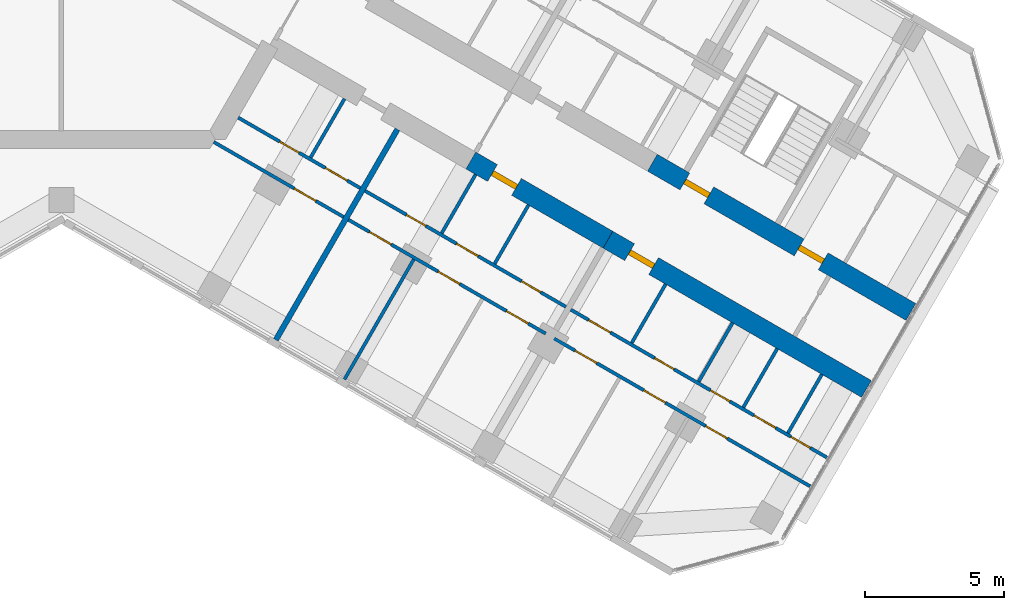
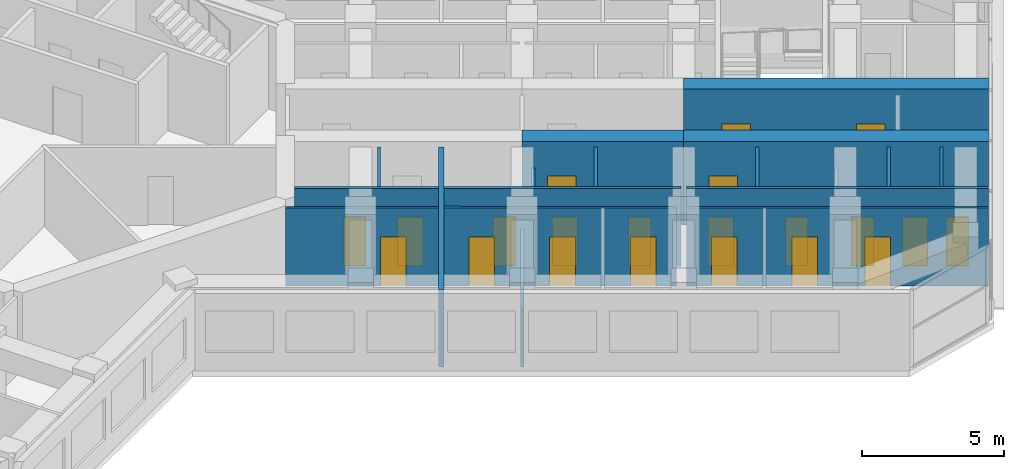
# One storey, part 11 of 16: 21 doors, 18 walls, 21 openings.
"""IFC4 building model written with IfcOpenShell, lengths in metres."""

from ifc_helpers import new_model, si_unit, direction, frame, frame_2d, origin, place, context, subcontext, project, spatial, rectangle, extrude, material, layer, layer_set, type_object, element, fill, save


model = new_model("IFC4")

# Units and contexts
model_context = context("Model", 3, precision=1e-05, world=origin(), true_north=direction((0.0, 1.0)))
body_context = subcontext(model_context, "Body", "Model", "MODEL_VIEW")
ifc_project = project(units=[si_unit("LENGTHUNIT", "METRE"), si_unit("AREAUNIT", "SQUARE_METRE"), si_unit("VOLUMEUNIT", "CUBIC_METRE"), si_unit("PLANEANGLEUNIT", "RADIAN"), si_unit("MASSUNIT", "GRAM", prefix="KILO")], contexts=[model_context])

# Site, building, storey
site_placement = place(None, origin())
site = spatial("IfcSite", under=ifc_project, at=site_placement, CompositionType="ELEMENT")
building_placement = place(site_placement, origin())
building = spatial("IfcBuilding", under=site, at=building_placement, Name="Kosmar Iwan School Tower", CompositionType="ELEMENT")
storey_placement = place(building_placement, frame((0.0, 0.0, 215.39990234375)))
storey = spatial("IfcBuildingStorey", under=building, at=storey_placement, Name="L54", CompositionType="ELEMENT", Elevation=215.39990234375)

# Wall, openings, doors
ifc_material_1 = material(Name="Concrete C50/60", Category="concrete")
ifc_layer_1 = layer(ifc_material_1, 0.699951171875)
ifc_layer_set_1 = layer_set([ifc_layer_1], Name="Corridor buttress wall 700")
wall_type_1 = type_object("IfcWallType", Name="Corridor buttress wall 700", PredefinedType="SHEAR", material=ifc_layer_set_1)
wall_1_placement = place(storey_placement, frame((21.281494140625, -10.439453125, 0.0), z_axis=(0.0, 0.0, 1.0), x_axis=(0.866032345022, -0.499987977232, 0.0)))
wall_1 = element("IfcWall", 1, at=wall_1_placement, inside=storey, type_object=wall_type_1, Name="Corridor wall CL bay 3", PredefinedType="SHEAR", context=body_context, shape_type="SweptSolid", body=[
    extrude(rectangle(XDim=10.744873046875, YDim=0.699951171875, at=frame_2d((5.37255859375, 0.0))), origin(), (0.0, 0.0, 1.0), 3.60009765625),
])
opening_1_placement = place(wall_1_placement, frame((6.10009765625, 0.0, 0.0)))
opening_1 = element("IfcOpeningElement", 2, at=opening_1_placement, cuts=wall_1, Name="Opening D1", PredefinedType="OPENING", context=body_context, shape_type="SweptSolid", body=[
    extrude(rectangle(XDim=1.0, YDim=2.10009765625, at=frame_2d((0.5, 1.050048828125))), frame((0.0, 0.362060546875, 0.0), z_axis=(0.0, -1.0, 0.0), x_axis=(1.0, 0.0, 0.0)), (0.0, 0.0, 1.0), 0.723876953125),
])
opening_2_placement = place(wall_1_placement, frame((1.35009765625, 0.0, 0.0)))
opening_2 = element("IfcOpeningElement", 3, at=opening_2_placement, cuts=wall_1, Name="Opening D6", PredefinedType="OPENING", context=body_context, shape_type="SweptSolid", body=[
    extrude(rectangle(XDim=1.0, YDim=2.10009765625, at=frame_2d((0.5, 1.050048828125))), frame((0.0, 0.362060546875, 0.0), z_axis=(0.0, -1.0, 0.0), x_axis=(1.0, 0.0, 0.0)), (0.0, 0.0, 1.0), 0.723876953125),
])
ifc_material_2 = material(Name="Timber fire door in steel frame", Category="steel")
door_type_1 = type_object("IfcDoorType", Name="Flat entrance door 1000x2100", OperationType="SINGLE_SWING_LEFT", PredefinedType="DOOR", material=ifc_material_2)
door_1_placement = place(opening_1_placement, origin())
door_1 = element("IfcDoor", 4, at=door_1_placement, inside=storey, type_object=door_type_1, Name="Flat L54-CL3 entrance door", OperationType="SINGLE_SWING_RIGHT", OverallHeight=2.10009765625, OverallWidth=1.0, PredefinedType="DOOR", context=body_context, shape_type="SweptSolid", body=[
    extrude(rectangle(XDim=1.0, YDim=2.10009765625, at=frame_2d((0.5, 1.050048828125))), frame((0.0, 0.10009765625, 0.0), z_axis=(0.0, -1.0, 0.0), x_axis=(1.0, 0.0, 0.0)), (0.0, 0.0, 1.0), 0.199951171875),
])
fill(opening_1, door_1)
ifc_material_3 = material(Name="Steel fire door", Category="steel")
door_type_2 = type_object("IfcDoorType", Name="Stair door 1000x2100", OperationType="SINGLE_SWING_LEFT", PredefinedType="DOOR", material=ifc_material_3)
door_2_placement = place(opening_2_placement, origin())
door_2 = element("IfcDoor", 5, at=door_2_placement, inside=storey, type_object=door_type_2, Name="Stair WS3 door L54", OperationType="SINGLE_SWING_LEFT", OverallHeight=2.10009765625, OverallWidth=1.0, PredefinedType="DOOR", context=body_context, shape_type="SweptSolid", body=[
    extrude(rectangle(XDim=1.0, YDim=2.10009765625, at=frame_2d((0.5, 1.050048828125))), frame((0.0, 0.10009765625, 0.0), z_axis=(0.0, -1.0, 0.0), x_axis=(1.0, 0.0, 0.0)), (0.0, 0.0, 1.0), 0.199951171875),
])
fill(opening_2, door_2)

# Wall, opening, door
wall_2_placement = place(storey_placement, frame((14.7451171875, -10.360595703125, 0.0), z_axis=(0.0, 0.0, 1.0), x_axis=(0.866015111908, -0.50001782563, 0.0)))
wall_2 = element("IfcWall", 6, at=wall_2_placement, inside=storey, type_object=wall_type_1, Name="Corridor wall CR bay 2", PredefinedType="SHEAR", context=body_context, shape_type="SweptSolid", body=[
    extrude(rectangle(XDim=5.699951171875, YDim=0.699951171875, at=frame_2d((2.85009765625, 0.0))), origin(), (0.0, 0.0, 1.0), 3.60009765625),
])
opening_3_placement = place(wall_2_placement, frame((0.89990234375, 0.0, 0.0)))
opening_3 = element("IfcOpeningElement", 7, at=opening_3_placement, cuts=wall_2, Name="Opening D1", PredefinedType="OPENING", context=body_context, shape_type="SweptSolid", body=[
    extrude(rectangle(XDim=1.0, YDim=2.10009765625, at=frame_2d((0.5, 1.050048828125))), frame((0.0, 0.362060546875, 0.0), z_axis=(0.0, -1.0, 0.0), x_axis=(1.0, 0.0, 0.0)), (0.0, 0.0, 1.0), 0.723876953125),
])
door_3_placement = place(opening_3_placement, origin())
door_3 = element("IfcDoor", 8, at=door_3_placement, inside=storey, type_object=door_type_1, Name="Flat L54-CR2 entrance door", OperationType="SINGLE_SWING_LEFT", OverallHeight=2.10009765625, OverallWidth=1.0, PredefinedType="DOOR", context=body_context, shape_type="SweptSolid", body=[
    extrude(rectangle(XDim=1.0, YDim=2.10009765625, at=frame_2d((0.5, 1.050048828125))), frame((0.0, 0.10009765625, 0.0), z_axis=(0.0, -1.0, 0.0), x_axis=(1.0, 0.0, 0.0)), (0.0, 0.0, 1.0), 0.199951171875),
])
fill(opening_3, door_3)

wall_3_placement = place(storey_placement, frame((19.681396484375, -13.210693359375, 0.0), z_axis=(0.0, 0.0, 1.0), x_axis=(0.866028186671, -0.499995179869, 0.0)))
wall_3 = element("IfcWall", 9, at=wall_3_placement, inside=storey, type_object=wall_type_1, Name="Corridor wall CR bay 3", PredefinedType="SHEAR", context=body_context, shape_type="SweptSolid", body=[
    extrude(rectangle(XDim=10.7451171875, YDim=0.699951171875, at=frame_2d((5.37255859375, 0.0))), origin(), (0.0, 0.0, 1.0), 3.60009765625),
])
opening_4_placement = place(wall_3_placement, frame((0.89990234375, 0.0, 0.0)))
opening_4 = element("IfcOpeningElement", 10, at=opening_4_placement, cuts=wall_3, Name="Opening D1", PredefinedType="OPENING", context=body_context, shape_type="SweptSolid", body=[
    extrude(rectangle(XDim=1.0, YDim=2.10009765625, at=frame_2d((0.5, 1.050048828125))), frame((0.0, 0.362060546875, 0.0), z_axis=(0.0, -1.0, 0.0), x_axis=(1.0, 0.0, 0.0)), (0.0, 0.0, 1.0), 0.723876953125),
])
door_4_placement = place(opening_4_placement, origin())
door_4 = element("IfcDoor", 11, at=door_4_placement, inside=storey, type_object=door_type_1, Name="Flat L54-CR3 entrance door", OperationType="SINGLE_SWING_LEFT", OverallHeight=2.10009765625, OverallWidth=1.0, PredefinedType="DOOR", context=body_context, shape_type="SweptSolid", body=[
    extrude(rectangle(XDim=1.0, YDim=2.10009765625, at=frame_2d((0.5, 1.050048828125))), frame((0.0, 0.10009765625, 0.0), z_axis=(0.0, -1.0, 0.0), x_axis=(1.0, 0.0, 0.0)), (0.0, 0.0, 1.0), 0.199951171875),
])
fill(opening_4, door_4)

# Wall, openings, doors
ifc_material_4 = material(Name="Gypsum board on steel studs", Category="steel")
ifc_layer_2 = layer(ifc_material_4, 0.1201171875)
ifc_layer_set_2 = layer_set([ifc_layer_2], Name="Dwelling partition 120")
wall_type_2 = type_object("IfcWallType", Name="Dwelling partition 120", PredefinedType="PARTITIONING", material=ifc_layer_set_2)
wall_4_placement = place(storey_placement, frame((6.370361328125, -8.81640625, 0.0), z_axis=(0.0, 0.0, 1.0), x_axis=(0.866034976542, -0.499983419131, 0.0)))
wall_4 = element("IfcWall", 12, at=wall_4_placement, inside=storey, type_object=wall_type_2, Name="Partition L54-CR1-W1", PredefinedType="PARTITIONING", context=body_context, shape_type="SweptSolid", body=[
    extrude(rectangle(XDim=5.074951171875, YDim=0.1201171875, at=frame_2d((2.53759765625, 0.0))), origin(), (0.0, 0.0, 1.0), 3.35009765625),
])
opening_5_placement = place(wall_4_placement, frame((1.72509765625, 0.0, 0.0)))
opening_5 = element("IfcOpeningElement", 13, at=opening_5_placement, cuts=wall_4, Name="Opening D3", PredefinedType="OPENING", context=body_context, shape_type="SweptSolid", body=[
    extrude(rectangle(XDim=0.800048828125, YDim=2.10009765625, at=frame_2d((0.39990234375, 1.050048828125))), frame((0.0, 0.072021484375, 0.0), z_axis=(0.0, -1.0, 0.0), x_axis=(1.0, 0.0, 0.0)), (0.0, 0.0, 1.0), 0.14404296875),
])
opening_6_placement = place(wall_4_placement, frame((3.625, 0.0, 0.0)))
opening_6 = element("IfcOpeningElement", 14, at=opening_6_placement, cuts=wall_4, Name="Opening D2", PredefinedType="OPENING", context=body_context, shape_type="SweptSolid", body=[
    extrude(rectangle(XDim=0.89990234375, YDim=2.10009765625, at=frame_2d((0.449951171875, 1.050048828125))), frame((0.0, 0.072021484375, 0.0), z_axis=(0.0, -1.0, 0.0), x_axis=(1.0, 0.0, 0.0)), (0.0, 0.0, 1.0), 0.14404296875),
])
ifc_material_5 = material(Name="Timber door in timber frame", Category="wood")
door_type_3 = type_object("IfcDoorType", Name="Internal door 900x2100", OperationType="SINGLE_SWING_LEFT", PredefinedType="DOOR", material=ifc_material_5)
door_5_placement = place(opening_6_placement, origin())
door_5 = element("IfcDoor", 15, at=door_5_placement, inside=storey, type_object=door_type_3, Name="Entrance hall door L54-CR1-S2", OperationType="SINGLE_SWING_RIGHT", OverallHeight=2.10009765625, OverallWidth=0.89990234375, PredefinedType="DOOR", context=body_context, shape_type="SweptSolid", body=[
    extrude(rectangle(XDim=0.89990234375, YDim=2.10009765625, at=frame_2d((0.449951171875, 1.050048828125))), frame((0.0, 0.02490234375, 0.0), z_axis=(0.0, -1.0, 0.0), x_axis=(1.0, 0.0, 0.0)), (0.0, 0.0, 1.0), 0.050048828125),
])
fill(opening_6, door_5)
ifc_material_6 = material(Name="Timber door in timber frame", Category="wood")
door_type_4 = type_object("IfcDoorType", Name="Sanitary room door 800x2100", OperationType="SINGLE_SWING_LEFT", PredefinedType="DOOR", material=ifc_material_6)
door_6_placement = place(opening_5_placement, origin())
door_6 = element("IfcDoor", 16, at=door_6_placement, inside=storey, type_object=door_type_4, Name="Bathroom door L54-CR1-S1", OperationType="SINGLE_SWING_RIGHT", OverallHeight=2.10009765625, OverallWidth=0.800048828125, PredefinedType="DOOR", context=body_context, shape_type="SweptSolid", body=[
    extrude(rectangle(XDim=0.800048828125, YDim=2.10009765625, at=frame_2d((0.39990234375, 1.050048828125))), frame((0.0, 0.02490234375, 0.0), z_axis=(0.0, -1.0, 0.0), x_axis=(1.0, 0.0, 0.0)), (0.0, 0.0, 1.0), 0.050048828125),
])
fill(opening_5, door_6)

# Wall, opening, door
wall_5_placement = place(storey_placement, frame((5.48876953125, -9.693115234375, 0.0), z_axis=(0.0, 0.0, 1.0), x_axis=(0.866028230842, -0.499995103361, 0.0)))
wall_5 = element("IfcWall", 17, at=wall_5_placement, inside=storey, type_object=wall_type_2, Name="Partition L54-CR1-W2", PredefinedType="PARTITIONING", context=body_context, shape_type="SweptSolid", body=[
    extrude(rectangle(XDim=5.39990234375, YDim=0.1201171875, at=frame_2d((2.699951171875, 0.0))), origin(), (0.0, 0.0, 1.0), 3.35009765625),
])
opening_7_placement = place(wall_5_placement, frame((3.35009765625, 0.0, 0.0)))
opening_7 = element("IfcOpeningElement", 18, at=opening_7_placement, cuts=wall_5, Name="Opening D2", PredefinedType="OPENING", context=body_context, shape_type="SweptSolid", body=[
    extrude(rectangle(XDim=0.89990234375, YDim=2.10009765625, at=frame_2d((0.449951171875, 1.050048828125))), frame((0.0, 0.072021484375, 0.0), z_axis=(0.0, -1.0, 0.0), x_axis=(1.0, 0.0, 0.0)), (0.0, 0.0, 1.0), 0.14404296875),
])
door_7_placement = place(opening_7_placement, origin())
door_7 = element("IfcDoor", 19, at=door_7_placement, inside=storey, type_object=door_type_3, Name="Studio living room and kitchen door L54-CR1-F1", OperationType="SINGLE_SWING_RIGHT", OverallHeight=2.10009765625, OverallWidth=0.89990234375, PredefinedType="DOOR", context=body_context, shape_type="SweptSolid", body=[
    extrude(rectangle(XDim=0.89990234375, YDim=2.10009765625, at=frame_2d((0.449951171875, 1.050048828125))), frame((0.0, 0.02490234375, 0.0), z_axis=(0.0, -1.0, 0.0), x_axis=(1.0, 0.0, 0.0)), (0.0, 0.0, 1.0), 0.050048828125),
])
fill(opening_7, door_7)

# Wall
wall_6_placement = place(storey_placement, frame((10.19677734375, -8.138671875, 0.0), z_axis=(0.0, 0.0, 1.0), x_axis=(-0.499959183527, -0.866048967903, 0.0)))
element("IfcWall", 20, at=wall_6_placement, inside=storey, type_object=wall_type_2, Name="Partition L54-CR1-Y1", PredefinedType="PARTITIONING", context=body_context, shape_type="SweptSolid", body=[
    extrude(rectangle(XDim=2.440185546875, YDim=0.1201171875, at=frame_2d((1.22021484375, 0.0))), origin(), (0.0, 0.0, 1.0), 3.35009765625),
])

# Wall, openings, doors
wall_7_placement = place(storey_placement, frame((10.9384765625, -11.453857421875, 0.0), z_axis=(0.0, 0.0, 1.0), x_axis=(0.866026859388, -0.499997478812, 0.0)))
wall_7 = element("IfcWall", 21, at=wall_7_placement, inside=storey, type_object=wall_type_2, Name="Partition L54-CR2-W1", PredefinedType="PARTITIONING", context=body_context, shape_type="SweptSolid", body=[
    extrude(rectangle(XDim=8.35009765625, YDim=0.1201171875, at=frame_2d((4.175048828125, 0.0))), origin(), (0.0, 0.0, 1.0), 3.35009765625),
])
opening_8_placement = place(wall_7_placement, frame((1.72509765625, 0.0, 0.0)))
opening_8 = element("IfcOpeningElement", 22, at=opening_8_placement, cuts=wall_7, Name="Opening D3", PredefinedType="OPENING", context=body_context, shape_type="SweptSolid", body=[
    extrude(rectangle(XDim=0.800048828125, YDim=2.10009765625, at=frame_2d((0.39990234375, 1.050048828125))), frame((0.0, 0.072021484375, 0.0), z_axis=(0.0, -1.0, 0.0), x_axis=(1.0, 0.0, 0.0)), (0.0, 0.0, 1.0), 0.14404296875),
])
opening_9_placement = place(wall_7_placement, frame((3.800048828125, 0.0, 0.0)))
opening_9 = element("IfcOpeningElement", 23, at=opening_9_placement, cuts=wall_7, Name="Opening D2", PredefinedType="OPENING", context=body_context, shape_type="SweptSolid", body=[
    extrude(rectangle(XDim=0.89990234375, YDim=2.10009765625, at=frame_2d((0.449951171875, 1.050048828125))), frame((0.0, 0.072021484375, 0.0), z_axis=(0.0, -1.0, 0.0), x_axis=(1.0, 0.0, 0.0)), (0.0, 0.0, 1.0), 0.14404296875),
])
opening_10_placement = place(wall_7_placement, frame((6.5, 0.0, 0.0)))
opening_10 = element("IfcOpeningElement", 24, at=opening_10_placement, cuts=wall_7, Name="Opening D3", PredefinedType="OPENING", context=body_context, shape_type="SweptSolid", body=[
    extrude(rectangle(XDim=0.800048828125, YDim=2.10009765625, at=frame_2d((0.39990234375, 1.050048828125))), frame((0.0, 0.072021484375, 0.0), z_axis=(0.0, -1.0, 0.0), x_axis=(1.0, 0.0, 0.0)), (0.0, 0.0, 1.0), 0.14404296875),
])
door_8_placement = place(opening_9_placement, origin())
door_8 = element("IfcDoor", 25, at=door_8_placement, inside=storey, type_object=door_type_3, Name="Entrance hall door L54-CR2-S2", OperationType="SINGLE_SWING_LEFT", OverallHeight=2.10009765625, OverallWidth=0.89990234375, PredefinedType="DOOR", context=body_context, shape_type="SweptSolid", body=[
    extrude(rectangle(XDim=0.89990234375, YDim=2.10009765625, at=frame_2d((0.449951171875, 1.050048828125))), frame((0.0, 0.02490234375, 0.0), z_axis=(0.0, -1.0, 0.0), x_axis=(1.0, 0.0, 0.0)), (0.0, 0.0, 1.0), 0.050048828125),
])
fill(opening_9, door_8)
door_9_placement = place(opening_8_placement, origin())
door_9 = element("IfcDoor", 26, at=door_9_placement, inside=storey, type_object=door_type_4, Name="Bathroom door L54-CR2-S1", OperationType="SINGLE_SWING_RIGHT", OverallHeight=2.10009765625, OverallWidth=0.800048828125, PredefinedType="DOOR", context=body_context, shape_type="SweptSolid", body=[
    extrude(rectangle(XDim=0.800048828125, YDim=2.10009765625, at=frame_2d((0.39990234375, 1.050048828125))), frame((0.0, 0.02490234375, 0.0), z_axis=(0.0, -1.0, 0.0), x_axis=(1.0, 0.0, 0.0)), (0.0, 0.0, 1.0), 0.050048828125),
])
fill(opening_8, door_9)
door_10_placement = place(opening_10_placement, origin())
door_10 = element("IfcDoor", 27, at=door_10_placement, inside=storey, type_object=door_type_4, Name="Grandparents' shower room door L54-CR2-S3", OperationType="SINGLE_SWING_RIGHT", OverallHeight=2.10009765625, OverallWidth=0.800048828125, PredefinedType="DOOR", context=body_context, shape_type="SweptSolid", body=[
    extrude(rectangle(XDim=0.800048828125, YDim=2.10009765625, at=frame_2d((0.39990234375, 1.050048828125))), frame((0.0, 0.02490234375, 0.0), z_axis=(0.0, -1.0, 0.0), x_axis=(1.0, 0.0, 0.0)), (0.0, 0.0, 1.0), 0.050048828125),
])
fill(opening_10, door_10)

wall_8_placement = place(storey_placement, frame((10.338623046875, -12.492919921875, 0.0), z_axis=(0.0, 0.0, 1.0), x_axis=(0.866017504342, -0.500013681986, 0.0)))
wall_8 = element("IfcWall", 28, at=wall_8_placement, inside=storey, type_object=wall_type_2, Name="Partition L54-CR2-W2", PredefinedType="PARTITIONING", context=body_context, shape_type="SweptSolid", body=[
    extrude(rectangle(XDim=8.199951171875, YDim=0.1201171875, at=frame_2d((4.10009765625, 0.0))), origin(), (0.0, 0.0, 1.0), 3.35009765625),
])
opening_11_placement = place(wall_8_placement, frame((0.875, 0.0, 0.0)))
opening_11 = element("IfcOpeningElement", 29, at=opening_11_placement, cuts=wall_8, Name="Opening D2", PredefinedType="OPENING", context=body_context, shape_type="SweptSolid", body=[
    extrude(rectangle(XDim=0.89990234375, YDim=2.10009765625, at=frame_2d((0.449951171875, 1.050048828125))), frame((0.0, 0.072021484375, 0.0), z_axis=(0.0, -1.0, 0.0), x_axis=(1.0, 0.0, 0.0)), (0.0, 0.0, 1.0), 0.14404296875),
])
opening_12_placement = place(wall_8_placement, frame((3.72509765625, 0.0, 0.0)))
opening_12 = element("IfcOpeningElement", 30, at=opening_12_placement, cuts=wall_8, Name="Opening D2", PredefinedType="OPENING", context=body_context, shape_type="SweptSolid", body=[
    extrude(rectangle(XDim=0.89990234375, YDim=2.10009765625, at=frame_2d((0.449951171875, 1.050048828125))), frame((0.0, 0.072021484375, 0.0), z_axis=(0.0, -1.0, 0.0), x_axis=(1.0, 0.0, 0.0)), (0.0, 0.0, 1.0), 0.14404296875),
])
opening_13_placement = place(wall_8_placement, frame((6.574951171875, 0.0, 0.0)))
opening_13 = element("IfcOpeningElement", 31, at=opening_13_placement, cuts=wall_8, Name="Opening D2", PredefinedType="OPENING", context=body_context, shape_type="SweptSolid", body=[
    extrude(rectangle(XDim=0.89990234375, YDim=2.10009765625, at=frame_2d((0.449951171875, 1.050048828125))), frame((0.0, 0.072021484375, 0.0), z_axis=(0.0, -1.0, 0.0), x_axis=(1.0, 0.0, 0.0)), (0.0, 0.0, 1.0), 0.14404296875),
])
door_11_placement = place(opening_11_placement, origin())
door_11 = element("IfcDoor", 32, at=door_11_placement, inside=storey, type_object=door_type_3, Name="Grandparents' suite door L54-CR2-F1", OperationType="SINGLE_SWING_LEFT", OverallHeight=2.10009765625, OverallWidth=0.89990234375, PredefinedType="DOOR", context=body_context, shape_type="SweptSolid", body=[
    extrude(rectangle(XDim=0.89990234375, YDim=2.10009765625, at=frame_2d((0.449951171875, 1.050048828125))), frame((0.0, 0.02490234375, 0.0), z_axis=(0.0, -1.0, 0.0), x_axis=(1.0, 0.0, 0.0)), (0.0, 0.0, 1.0), 0.050048828125),
])
fill(opening_11, door_11)
door_12_placement = place(opening_12_placement, origin())
door_12 = element("IfcDoor", 33, at=door_12_placement, inside=storey, type_object=door_type_3, Name="Living room and kitchen door L54-CR2-F2", OperationType="SINGLE_SWING_RIGHT", OverallHeight=2.10009765625, OverallWidth=0.89990234375, PredefinedType="DOOR", context=body_context, shape_type="SweptSolid", body=[
    extrude(rectangle(XDim=0.89990234375, YDim=2.10009765625, at=frame_2d((0.449951171875, 1.050048828125))), frame((0.0, 0.02490234375, 0.0), z_axis=(0.0, -1.0, 0.0), x_axis=(1.0, 0.0, 0.0)), (0.0, 0.0, 1.0), 0.050048828125),
])
fill(opening_12, door_12)
door_13_placement = place(opening_13_placement, origin())
door_13 = element("IfcDoor", 34, at=door_13_placement, inside=storey, type_object=door_type_3, Name="Bedroom 1 door L54-CR2-F3", OperationType="SINGLE_SWING_RIGHT", OverallHeight=2.10009765625, OverallWidth=0.89990234375, PredefinedType="DOOR", context=body_context, shape_type="SweptSolid", body=[
    extrude(rectangle(XDim=0.89990234375, YDim=2.10009765625, at=frame_2d((0.449951171875, 1.050048828125))), frame((0.0, 0.02490234375, 0.0), z_axis=(0.0, -1.0, 0.0), x_axis=(1.0, 0.0, 0.0)), (0.0, 0.0, 1.0), 0.050048828125),
])
fill(opening_13, door_13)

# Walls
wall_9_placement = place(storey_placement, frame((12.690185546875, -13.919921875, 0.0), z_axis=(0.0, 0.0, 1.0), x_axis=(-0.500011847778, -0.866018563358, 0.0)))
element("IfcWall", 35, at=wall_9_placement, inside=storey, type_object=wall_type_2, Name="Partition L54-CR2-X1", PredefinedType="PARTITIONING", context=body_context, shape_type="SweptSolid", body=[
    extrude(rectangle(XDim=4.990234375, YDim=0.1201171875, at=frame_2d((2.4951171875, 0.0))), origin(), (0.0, 0.0, 1.0), 2.4501953125),
])
wall_10_placement = place(storey_placement, frame((14.91650390625, -10.86376953125, 0.0), z_axis=(0.0, 0.0, 1.0), x_axis=(-0.500002508028, -0.866023955769, 0.0)))
element("IfcWall", 36, at=wall_10_placement, inside=storey, type_object=wall_type_2, Name="Partition L54-CR2-Y1", PredefinedType="PARTITIONING", context=body_context, shape_type="SweptSolid", body=[
    extrude(rectangle(XDim=2.43994140625, YDim=0.1201171875, at=frame_2d((1.219970703125, 0.0))), origin(), (0.0, 0.0, 1.0), 2.4501953125),
])
wall_11_placement = place(storey_placement, frame((16.82177734375, -11.963623046875, 0.0), z_axis=(0.0, 0.0, 1.0), x_axis=(-0.499959183527, -0.866048967903, 0.0)))
element("IfcWall", 37, at=wall_11_placement, inside=storey, type_object=wall_type_2, Name="Partition L54-CR2-Y2", PredefinedType="PARTITIONING", context=body_context, shape_type="SweptSolid", body=[
    extrude(rectangle(XDim=2.440185546875, YDim=0.1201171875, at=frame_2d((1.22021484375, 0.0))), origin(), (0.0, 0.0, 1.0), 3.35009765625),
])

# Wall, openings, doors
wall_12_placement = place(storey_placement, frame((18.343017578125, -15.728759765625, 0.0), z_axis=(0.0, 0.0, 1.0), x_axis=(0.866028616566, -0.499994435258, 0.0)))
wall_12 = element("IfcWall", 38, at=wall_12_placement, inside=storey, type_object=wall_type_2, Name="Partition L54-CR3-W1", PredefinedType="PARTITIONING", context=body_context, shape_type="SweptSolid", body=[
    extrude(rectangle(XDim=10.64501953125, YDim=0.1201171875, at=frame_2d((5.322509765625, 0.0))), origin(), (0.0, 0.0, 1.0), 3.35009765625),
])
opening_14_placement = place(wall_12_placement, frame((0.75, 0.0, 0.0)))
opening_14 = element("IfcOpeningElement", 39, at=opening_14_placement, cuts=wall_12, Name="Opening D2", PredefinedType="OPENING", context=body_context, shape_type="SweptSolid", body=[
    extrude(rectangle(XDim=0.89990234375, YDim=2.10009765625, at=frame_2d((0.449951171875, 1.050048828125))), frame((0.0, 0.072021484375, 0.0), z_axis=(0.0, -1.0, 0.0), x_axis=(1.0, 0.0, 0.0)), (0.0, 0.0, 1.0), 0.14404296875),
])
opening_15_placement = place(wall_12_placement, frame((3.49169921875, 0.0, 0.0)))
opening_15 = element("IfcOpeningElement", 40, at=opening_15_placement, cuts=wall_12, Name="Opening D3", PredefinedType="OPENING", context=body_context, shape_type="SweptSolid", body=[
    extrude(rectangle(XDim=0.800048828125, YDim=2.10009765625, at=frame_2d((0.39990234375, 1.050048828125))), frame((0.0, 0.072021484375, 0.0), z_axis=(0.0, -1.0, 0.0), x_axis=(1.0, 0.0, 0.0)), (0.0, 0.0, 1.0), 0.14404296875),
])
opening_16_placement = place(wall_12_placement, frame((5.81103515625, 0.0, 0.0)))
opening_16 = element("IfcOpeningElement", 41, at=opening_16_placement, cuts=wall_12, Name="Opening D3", PredefinedType="OPENING", context=body_context, shape_type="SweptSolid", body=[
    extrude(rectangle(XDim=0.800048828125, YDim=2.10009765625, at=frame_2d((0.39990234375, 1.050048828125))), frame((0.0, 0.072021484375, 0.0), z_axis=(0.0, -1.0, 0.0), x_axis=(1.0, 0.0, 0.0)), (0.0, 0.0, 1.0), 0.14404296875),
])
opening_17_placement = place(wall_12_placement, frame((7.61669921875, 0.0, 0.0)))
opening_17 = element("IfcOpeningElement", 42, at=opening_17_placement, cuts=wall_12, Name="Opening D2", PredefinedType="OPENING", context=body_context, shape_type="SweptSolid", body=[
    extrude(rectangle(XDim=0.89990234375, YDim=2.10009765625, at=frame_2d((0.449951171875, 1.050048828125))), frame((0.0, 0.072021484375, 0.0), z_axis=(0.0, -1.0, 0.0), x_axis=(1.0, 0.0, 0.0)), (0.0, 0.0, 1.0), 0.14404296875),
])
opening_18_placement = place(wall_12_placement, frame((9.154541015625, 0.0, 0.0)))
opening_18 = element("IfcOpeningElement", 43, at=opening_18_placement, cuts=wall_12, Name="Opening D3", PredefinedType="OPENING", context=body_context, shape_type="SweptSolid", body=[
    extrude(rectangle(XDim=0.800048828125, YDim=2.10009765625, at=frame_2d((0.39990234375, 1.050048828125))), frame((0.0, 0.072021484375, 0.0), z_axis=(0.0, -1.0, 0.0), x_axis=(1.0, 0.0, 0.0)), (0.0, 0.0, 1.0), 0.14404296875),
])
door_14_placement = place(opening_14_placement, origin())
door_14 = element("IfcDoor", 44, at=door_14_placement, inside=storey, type_object=door_type_3, Name="Entrance hall door L54-CR3-S1", OperationType="SINGLE_SWING_LEFT", OverallHeight=2.10009765625, OverallWidth=0.89990234375, PredefinedType="DOOR", context=body_context, shape_type="SweptSolid", body=[
    extrude(rectangle(XDim=0.89990234375, YDim=2.10009765625, at=frame_2d((0.449951171875, 1.050048828125))), frame((0.0, 0.02490234375, 0.0), z_axis=(0.0, -1.0, 0.0), x_axis=(1.0, 0.0, 0.0)), (0.0, 0.0, 1.0), 0.050048828125),
])
fill(opening_14, door_14)
door_15_placement = place(opening_17_placement, origin())
door_15 = element("IfcDoor", 45, at=door_15_placement, inside=storey, type_object=door_type_3, Name="Pantry door L54-CR3-S4", OperationType="SINGLE_SWING_RIGHT", OverallHeight=2.10009765625, OverallWidth=0.89990234375, PredefinedType="DOOR", context=body_context, shape_type="SweptSolid", body=[
    extrude(rectangle(XDim=0.89990234375, YDim=2.10009765625, at=frame_2d((0.449951171875, 1.050048828125))), frame((0.0, 0.02490234375, 0.0), z_axis=(0.0, -1.0, 0.0), x_axis=(1.0, 0.0, 0.0)), (0.0, 0.0, 1.0), 0.050048828125),
])
fill(opening_17, door_15)
door_16_placement = place(opening_15_placement, origin())
door_16 = element("IfcDoor", 46, at=door_16_placement, inside=storey, type_object=door_type_4, Name="Bathroom door L54-CR3-S2", OperationType="SINGLE_SWING_RIGHT", OverallHeight=2.10009765625, OverallWidth=0.800048828125, PredefinedType="DOOR", context=body_context, shape_type="SweptSolid", body=[
    extrude(rectangle(XDim=0.800048828125, YDim=2.10009765625, at=frame_2d((0.39990234375, 1.050048828125))), frame((0.0, 0.02490234375, 0.0), z_axis=(0.0, -1.0, 0.0), x_axis=(1.0, 0.0, 0.0)), (0.0, 0.0, 1.0), 0.050048828125),
])
fill(opening_15, door_16)
door_17_placement = place(opening_16_placement, origin())
door_17 = element("IfcDoor", 47, at=door_17_placement, inside=storey, type_object=door_type_4, Name="Shower room door L54-CR3-S3", OperationType="SINGLE_SWING_LEFT", OverallHeight=2.10009765625, OverallWidth=0.800048828125, PredefinedType="DOOR", context=body_context, shape_type="SweptSolid", body=[
    extrude(rectangle(XDim=0.800048828125, YDim=2.10009765625, at=frame_2d((0.39990234375, 1.050048828125))), frame((0.0, 0.02490234375, 0.0), z_axis=(0.0, -1.0, 0.0), x_axis=(1.0, 0.0, 0.0)), (0.0, 0.0, 1.0), 0.050048828125),
])
fill(opening_16, door_17)
door_18_placement = place(opening_18_placement, origin())
door_18 = element("IfcDoor", 48, at=door_18_placement, inside=storey, type_object=door_type_4, Name="WC door L54-CR3-S5", OperationType="SINGLE_SWING_LEFT", OverallHeight=2.10009765625, OverallWidth=0.800048828125, PredefinedType="DOOR", context=body_context, shape_type="SweptSolid", body=[
    extrude(rectangle(XDim=0.800048828125, YDim=2.10009765625, at=frame_2d((0.39990234375, 1.050048828125))), frame((0.0, 0.02490234375, 0.0), z_axis=(0.0, -1.0, 0.0), x_axis=(1.0, 0.0, 0.0)), (0.0, 0.0, 1.0), 0.050048828125),
])
fill(opening_18, door_18)

wall_13_placement = place(storey_placement, frame((17.7431640625, -16.76806640625, 0.0), z_axis=(0.0, 0.0, 1.0), x_axis=(0.866022882905, -0.500004366266, 0.0)))
wall_13 = element("IfcWall", 49, at=wall_13_placement, inside=storey, type_object=wall_type_2, Name="Partition L54-CR3-W2", PredefinedType="PARTITIONING", context=body_context, shape_type="SweptSolid", body=[
    extrude(rectangle(XDim=10.64501953125, YDim=0.1201171875, at=frame_2d((5.322509765625, 0.0))), origin(), (0.0, 0.0, 1.0), 3.35009765625),
])
opening_19_placement = place(wall_13_placement, frame((0.875, 0.0, 0.0)))
opening_19 = element("IfcOpeningElement", 50, at=opening_19_placement, cuts=wall_13, Name="Opening D2", PredefinedType="OPENING", context=body_context, shape_type="SweptSolid", body=[
    extrude(rectangle(XDim=0.89990234375, YDim=2.10009765625, at=frame_2d((0.449951171875, 1.050048828125))), frame((0.0, 0.072021484375, 0.0), z_axis=(0.0, -1.0, 0.0), x_axis=(1.0, 0.0, 0.0)), (0.0, 0.0, 1.0), 0.14404296875),
])
opening_20_placement = place(wall_13_placement, frame((3.72509765625, 0.0, 0.0)))
opening_20 = element("IfcOpeningElement", 51, at=opening_20_placement, cuts=wall_13, Name="Opening D2", PredefinedType="OPENING", context=body_context, shape_type="SweptSolid", body=[
    extrude(rectangle(XDim=0.89990234375, YDim=2.10009765625, at=frame_2d((0.449951171875, 1.050048828125))), frame((0.0, 0.072021484375, 0.0), z_axis=(0.0, -1.0, 0.0), x_axis=(1.0, 0.0, 0.0)), (0.0, 0.0, 1.0), 0.14404296875),
])
opening_21_placement = place(wall_13_placement, frame((6.300048828125, 0.0, 0.0)))
opening_21 = element("IfcOpeningElement", 52, at=opening_21_placement, cuts=wall_13, Name="Opening D2", PredefinedType="OPENING", context=body_context, shape_type="SweptSolid", body=[
    extrude(rectangle(XDim=0.89990234375, YDim=2.10009765625, at=frame_2d((0.449951171875, 1.050048828125))), frame((0.0, 0.072021484375, 0.0), z_axis=(0.0, -1.0, 0.0), x_axis=(1.0, 0.0, 0.0)), (0.0, 0.0, 1.0), 0.14404296875),
])
door_19_placement = place(opening_19_placement, origin())
door_19 = element("IfcDoor", 53, at=door_19_placement, inside=storey, type_object=door_type_3, Name="Bedroom 1 door L54-CR3-F1", OperationType="SINGLE_SWING_LEFT", OverallHeight=2.10009765625, OverallWidth=0.89990234375, PredefinedType="DOOR", context=body_context, shape_type="SweptSolid", body=[
    extrude(rectangle(XDim=0.89990234375, YDim=2.10009765625, at=frame_2d((0.449951171875, 1.050048828125))), frame((0.0, 0.02490234375, 0.0), z_axis=(0.0, -1.0, 0.0), x_axis=(1.0, 0.0, 0.0)), (0.0, 0.0, 1.0), 0.050048828125),
])
fill(opening_19, door_19)
door_20_placement = place(opening_20_placement, origin())
door_20 = element("IfcDoor", 54, at=door_20_placement, inside=storey, type_object=door_type_3, Name="Bedroom 2 door L54-CR3-F2", OperationType="SINGLE_SWING_LEFT", OverallHeight=2.10009765625, OverallWidth=0.89990234375, PredefinedType="DOOR", context=body_context, shape_type="SweptSolid", body=[
    extrude(rectangle(XDim=0.89990234375, YDim=2.10009765625, at=frame_2d((0.449951171875, 1.050048828125))), frame((0.0, 0.02490234375, 0.0), z_axis=(0.0, -1.0, 0.0), x_axis=(1.0, 0.0, 0.0)), (0.0, 0.0, 1.0), 0.050048828125),
])
fill(opening_20, door_20)
door_21_placement = place(opening_21_placement, origin())
door_21 = element("IfcDoor", 55, at=door_21_placement, inside=storey, type_object=door_type_3, Name="Living room and kitchen door L54-CR3-F3", OperationType="SINGLE_SWING_RIGHT", OverallHeight=2.10009765625, OverallWidth=0.89990234375, PredefinedType="DOOR", context=body_context, shape_type="SweptSolid", body=[
    extrude(rectangle(XDim=0.89990234375, YDim=2.10009765625, at=frame_2d((0.449951171875, 1.050048828125))), frame((0.0, 0.02490234375, 0.0), z_axis=(0.0, -1.0, 0.0), x_axis=(1.0, 0.0, 0.0)), (0.0, 0.0, 1.0), 0.050048828125),
])
fill(opening_21, door_21)

# Walls
wall_14_placement = place(storey_placement, frame((21.758056640625, -14.813720703125, 0.0), z_axis=(0.0, 0.0, 1.0), x_axis=(-0.500002508028, -0.866023955769, 0.0)))
element("IfcWall", 56, at=wall_14_placement, inside=storey, type_object=wall_type_2, Name="Partition L54-CR3-Y1", PredefinedType="PARTITIONING", context=body_context, shape_type="SweptSolid", body=[
    extrude(rectangle(XDim=2.43994140625, YDim=0.1201171875, at=frame_2d((1.219970703125, 0.0))), origin(), (0.0, 0.0, 1.0), 3.35009765625),
])
wall_15_placement = place(storey_placement, frame((24.168701171875, -16.205322265625, 0.0), z_axis=(0.0, 0.0, 1.0), x_axis=(-0.500034220881, -0.866005645448, 0.0)))
element("IfcWall", 57, at=wall_15_placement, inside=storey, type_object=wall_type_2, Name="Partition L54-CR3-Y2", PredefinedType="PARTITIONING", context=body_context, shape_type="SweptSolid", body=[
    extrude(rectangle(XDim=2.440185546875, YDim=0.1201171875, at=frame_2d((1.22021484375, 0.0))), origin(), (0.0, 0.0, 1.0), 2.4501953125),
])
for number, where, z_axis, x_axis, name in (
    (58, (25.775634765625, -17.13330078125, 0.0), (0.0, 0.0, 1.0), (-0.500002508028, -0.866023955769, 0.0), "Partition L54-CR3-Y3"),
    (59, (27.382568359375, -18.06103515625, 0.0), (0.0, 0.0, 1.0), (-0.500002508028, -0.866023955769, 0.0), "Partition L54-CR3-Y4"),
):
    element("IfcWall", number, at=place(storey_placement, frame(where, z_axis=z_axis, x_axis=x_axis)), inside=storey, type_object=wall_type_2, Name=name, PredefinedType="PARTITIONING", context=body_context, shape_type="SweptSolid", body=[
        extrude(rectangle(XDim=2.43994140625, YDim=0.1201171875, at=frame_2d((1.219970703125, 0.0))), origin(), (0.0, 0.0, 1.0), 3.35009765625),
    ])
ifc_material_7 = material(Name="Concrete block masonry", Category="masonry")
ifc_layer_3 = layer(ifc_material_7, 0.199951171875)
ifc_layer_set_3 = layer_set([ifc_layer_3], Name="Party wall 200")
wall_type_3 = type_object("IfcWallType", Name="Party wall 200", PredefinedType="PARTITIONING", material=ifc_layer_set_3)
wall_16_placement = place(storey_placement, frame((12.10205078125, -9.23876953125, 0.0), z_axis=(0.0, 0.0, 1.0), x_axis=(-0.500004234368, -0.866022959057, 0.0)))
element("IfcWall", 60, at=wall_16_placement, inside=storey, type_object=wall_type_3, Name="Partition L54-CR2-PW", PredefinedType="PARTITIONING", context=body_context, shape_type="SweptSolid", body=[
    extrude(rectangle(XDim=8.75, YDim=0.199951171875, at=frame_2d((4.375, 0.0))), origin(), (0.0, 0.0, 1.0), 3.35009765625),
])

save(model, "model.ifc")
